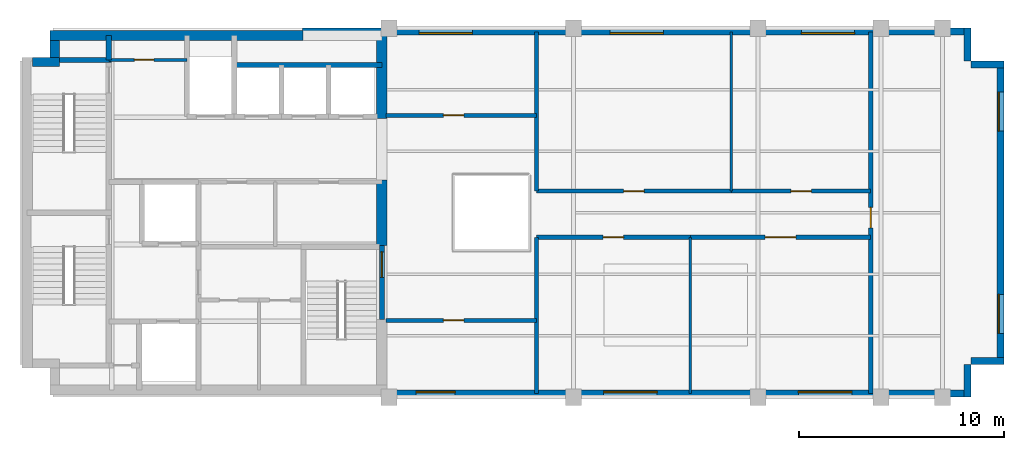
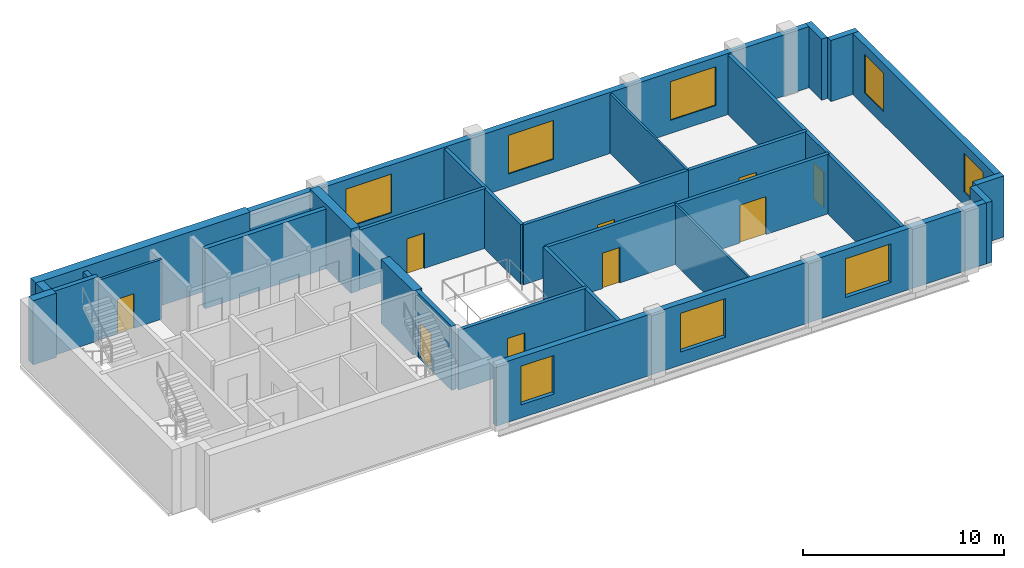
# One storey, part 3 of 5: 28 walls, 9 doors, 8 windows, 17 openings.
"""IFC4 building model written with IfcOpenShell, lengths in metres."""

import ifcopenshell
import ifcopenshell.guid

model = None  # the IFC model being written
_history = None  # IfcOwnerHistory: only IFC2X3 demands one
_inside = {}  # id of a spatial element -> (the spatial element, [elements in it])
_under = {}  # id of a project, library or spatial element -> (it, [spatial elements below it])
_declared = {}  # id of a project -> (the project, [libraries it declares])
_typed = {}  # id of a type object -> (the type object, [elements of that type])
_made_of = {}  # id of a material, layer set ... -> (it, [elements and type objects made of it])


def new_model(schema):
    """Start an empty IFC model of exactly this schema.

    Asked for "IFC4X3", IfcOpenShell would pick the latest addendum, in which some entities
    have other attributes; the version numbers below select the first issue.
    IFC2X3 requires an IfcOwnerHistory on every rooted entity: one is made here for all.
    """
    global model, _history
    if schema == "IFC4X3":
        model = ifcopenshell.file(schema_version=(4, 3, 0, 0))
    else:
        model = ifcopenshell.file(schema=schema)
    _inside.clear()
    _under.clear()
    _declared.clear()
    _typed.clear()
    _made_of.clear()
    _history = None
    if model.schema == "IFC2X3":
        org = make("IfcOrganization", Name="unknown")
        user = make(
            "IfcPersonAndOrganization",
            ThePerson=make("IfcPerson", FamilyName="unknown"),
            TheOrganization=org,
        )
        app = make(
            "IfcApplication",
            ApplicationDeveloper=org,
            Version="unknown",
            ApplicationFullName="unknown",
            ApplicationIdentifier="unknown",
        )
        _history = make(
            "IfcOwnerHistory",
            OwningUser=user,
            OwningApplication=app,
            ChangeAction="ADDED",
            CreationDate=0,
        )
    return model


def make(cls, **values):
    """One entity of the class cls with the attributes given. An attribute that is None is left unset."""
    return model.create_entity(
        cls, **{name: value for name, value in values.items() if value is not None}
    )


def rooted(cls, **values):
    """An entity with a GlobalId (a new one), such as an element, a storey or a relation."""
    return make(cls, GlobalId=ifcopenshell.guid.new(), OwnerHistory=_history, **values)


def si_unit(unit_type, name, prefix=None):
    """IfcSIUnit, for example si_unit("LENGTHUNIT", "METRE", prefix="MILLI")."""
    return make("IfcSIUnit", UnitType=unit_type, Prefix=prefix, Name=name)


def assignment(units):
    """IfcUnitAssignment: the units of a project."""
    return None if units is None else make("IfcUnitAssignment", Units=units)


def point(xyz):
    """IfcCartesianPoint."""
    return None if xyz is None else make("IfcCartesianPoint", Coordinates=xyz)


def direction(xyz):
    """IfcDirection."""
    return None if xyz is None else make("IfcDirection", DirectionRatios=xyz)


def frame(location, z_axis=None, x_axis=None):
    """IfcAxis2Placement3D, a coordinate frame: its origin and axes. An axis left out is left unset."""
    return make(
        "IfcAxis2Placement3D",
        Location=point(location),
        Axis=direction(z_axis),
        RefDirection=direction(x_axis),
    )


def frame_2d(location, x_axis=None):
    """IfcAxis2Placement2D, a coordinate frame in the plane: its origin and x axis."""
    return make(
        "IfcAxis2Placement2D", Location=point(location), RefDirection=direction(x_axis)
    )


def origin():
    """The frame at (0, 0, 0) with its axes left unset."""
    return frame((0.0, 0.0, 0.0))


def place(relative_to, where):
    """IfcLocalPlacement: puts the frame where relative to a parent placement (None: the world)."""
    return make(
        "IfcLocalPlacement", PlacementRelTo=relative_to, RelativePlacement=where
    )


def context(
    kind, dimensions, precision=None, world=None, true_north=None, identifier=None
):
    """IfcGeometricRepresentationContext, for example the 3D "Model" context."""
    return make(
        "IfcGeometricRepresentationContext",
        ContextIdentifier=identifier,
        ContextType=kind,
        CoordinateSpaceDimension=dimensions,
        Precision=precision,
        WorldCoordinateSystem=world,
        TrueNorth=true_north,
    )


def subcontext(parent, identifier, kind, view, scale=None):
    """IfcGeometricRepresentationSubContext, for example "Body" below "Model"."""
    return make(
        "IfcGeometricRepresentationSubContext",
        ContextIdentifier=identifier,
        ContextType=kind,
        ParentContext=parent,
        TargetScale=scale,
        TargetView=view,
    )


def project(units=None, contexts=None):
    """IfcProject with its units and contexts."""
    return rooted(
        "IfcProject",
        Name="project",
        RepresentationContexts=contexts,
        UnitsInContext=assignment(units),
    )


def spatial(cls, under=None, at=None, **own):
    """A site, building, storey or space (cls), placed at a placement, below another one or the project."""
    s = rooted(cls, ObjectPlacement=at, **own)
    if under is not None:
        _under.setdefault(under.id(), (under, []))[1].append(s)
    return s


def profile(cls, at=None, kind="AREA", **sizes):
    """A parametric profile (cls). Its sizes go by their IFC names, for example OverallWidth=200.0."""
    return make(cls, ProfileType=kind, Position=at, **sizes)


def rectangle(**sizes):
    """IfcRectangleProfileDef."""
    return profile("IfcRectangleProfileDef", **sizes)


def extrude(swept, where, along, depth):
    """IfcExtrudedAreaSolid: the profile swept, set in the frame where, extruded along a direction by depth."""
    return make(
        "IfcExtrudedAreaSolid",
        SweptArea=swept,
        Position=where,
        ExtrudedDirection=direction(along),
        Depth=depth,
    )


def shape(context_of_items, identifier, shape_type, items):
    """IfcShapeRepresentation: the items that make up one representation, for example the "Body"."""
    return make(
        "IfcShapeRepresentation",
        ContextOfItems=context_of_items,
        RepresentationIdentifier=identifier,
        RepresentationType=shape_type,
        Items=items,
    )


def material(Name=None, Category=None):
    """IfcMaterial."""
    return make("IfcMaterial", Name=Name, Category=Category)


def layer(
    of_material, thickness, ventilated=None, Name=None, Category=None, Priority=None
):
    """IfcMaterialLayer: one layer of a wall or slab, of a material (None: an air gap)."""
    return make(
        "IfcMaterialLayer",
        Material=of_material,
        LayerThickness=thickness,
        IsVentilated=ventilated,
        Name=Name,
        Category=Category,
        Priority=Priority,
    )


def layer_set(layers, Name=None):
    """IfcMaterialLayerSet."""
    return make("IfcMaterialLayerSet", MaterialLayers=layers, LayerSetName=Name)


def made_of(thing, what):
    """Note that an element or type object is made of a material, layer set ...; save() writes the relation."""
    if what is not None:
        _made_of.setdefault(what.id(), (what, []))[1].append(thing)
    return thing


def type_object(cls, material=None, **own):
    """A type object (cls), such as IfcWallType, which elements share."""
    return made_of(rooted(cls, **own), material)


def element(
    cls,
    number,
    at=None,
    inside=None,
    cuts=None,
    type_object=None,
    material=None,
    context=None,
    identifier="Body",
    shape_type=None,
    held_by="IfcProductDefinitionShape",
    body=None,
    shapes=None,
    **own,
):
    """One element of the class cls, such as IfcWall. Its Tag is "e" and its number.

    at: its placement. inside: the storey or other place that contains it. cuts: it is an
    opening in that element (IfcRelVoidsElement). A single representation is given by context,
    identifier, shape_type and body (its items); several are given by shapes. held_by: the class
    of the entity that holds the representations. save() writes the other relations.
    """
    e = rooted(cls, Tag="e%d" % number, ObjectPlacement=at, **own)
    if body is not None:
        shapes = [shape(context, identifier, shape_type, body)]
    if shapes is not None:
        e.Representation = make(held_by, Representations=shapes)
    if inside is not None:
        _inside.setdefault(inside.id(), (inside, []))[1].append(e)
    if cuts is not None:
        rooted(
            "IfcRelVoidsElement", RelatingBuildingElement=cuts, RelatedOpeningElement=e
        )
    if type_object is not None:
        _typed.setdefault(type_object.id(), (type_object, []))[1].append(e)
    return made_of(e, material)


def fill(opening, filler):
    """IfcRelFillsElement: the door or window that sits in an opening."""
    return rooted(
        "IfcRelFillsElement",
        RelatingOpeningElement=opening,
        RelatedBuildingElement=filler,
    )


def aggregate(whole, parts):
    """IfcRelAggregates: a whole, such as a stair, and the parts it consists of."""
    return rooted("IfcRelAggregates", RelatingObject=whole, RelatedObjects=parts)


def save(model, path):
    """Write the relations noted so far, then the file.

    IfcRelAggregates (storeys below a building ...), IfcRelContainedInSpatialStructure (elements
    in a storey), IfcRelDefinesByType, IfcRelAssociatesMaterial and IfcRelDeclares: one each for
    every whole, place, type object, material and project.
    """
    for whole, parts in _under.values():
        aggregate(whole, parts)
    for where, things in _inside.values():
        rooted(
            "IfcRelContainedInSpatialStructure",
            RelatedElements=things,
            RelatingStructure=where,
        )
    for kind, things in _typed.values():
        rooted("IfcRelDefinesByType", RelatedObjects=things, RelatingType=kind)
    for what, things in _made_of.values():
        rooted("IfcRelAssociatesMaterial", RelatedObjects=things, RelatingMaterial=what)
    for by, libraries in _declared.values():
        rooted("IfcRelDeclares", RelatingContext=by, RelatedDefinitions=libraries)
    model.write(path)


model = new_model("IFC4")

# Units and contexts
model_context = context("Model", 3, precision=1e-05, world=origin(), true_north=direction((0.0, 1.0)))
body_context = subcontext(model_context, "Body", "Model", "MODEL_VIEW")
ifc_project = project(units=[si_unit("LENGTHUNIT", "METRE"), si_unit("AREAUNIT", "SQUARE_METRE"), si_unit("VOLUMEUNIT", "CUBIC_METRE"), si_unit("PLANEANGLEUNIT", "RADIAN"), si_unit("MASSUNIT", "GRAM", prefix="KILO")], contexts=[model_context])

# Site, building, storey
site_placement = place(None, origin())
site = spatial("IfcSite", under=ifc_project, at=site_placement, CompositionType="ELEMENT")
building_placement = place(site_placement, origin())
building = spatial("IfcBuilding", under=site, at=building_placement, Name="Mawjdan Bourse Tower", CompositionType="ELEMENT")
storey_placement = place(building_placement, frame((0.0, 0.0, 282.0)))
storey = spatial("IfcBuildingStorey", under=building, at=storey_placement, Name="L69", CompositionType="ELEMENT", Elevation=282.0)

# Wall, openings, windows
ifc_material_1 = material(Name="Brick Masonry Buff", Category="masonry")
ifc_layer_1 = layer(ifc_material_1, 0.340087890625)
ifc_layer_set_1 = layer_set([ifc_layer_1], Name="Brick Masonry Buff")
wall_type_1 = type_object("IfcWallType", Name="WL-BRK-SPN-340", PredefinedType="STANDARD", material=ifc_layer_set_1)
wall_1_placement = place(storey_placement, frame((23.89990234375, 3.169921875, 0.0), z_axis=(0.0, 0.0, 1.0), x_axis=(1.0, 0.0, 0.0)))
wall_1 = element("IfcWall", 1, at=wall_1_placement, inside=storey, type_object=wall_type_1, Name="L69 Exterior Brick Wall 1", PredefinedType="STANDARD", context=body_context, shape_type="SweptSolid", body=[
    extrude(rectangle(XDim=28.5, YDim=0.340087890625, at=frame_2d((14.25, 0.0))), origin(), (0.0, 0.0, 1.0), 3.715087890625),
])
opening_1_placement = place(wall_1_placement, frame((1.425048828125, 0.0, 0.800048828125)))
opening_1 = element("IfcOpeningElement", 2, at=opening_1_placement, cuts=wall_1, Name="Opening W-L69-01", PredefinedType="OPENING", context=body_context, shape_type="SweptSolid", body=[
    extrude(rectangle(XDim=1.89990234375, YDim=2.35009765625, at=frame_2d((0.949951171875, 1.175048828125))), frame((0.0, 0.18017578125, 0.0), z_axis=(0.0, -1.0, 0.0), x_axis=(1.0, 0.0, 0.0)), (0.0, 0.0, 1.0), 0.360107421875),
])
opening_2_placement = place(wall_1_placement, frame((10.574951171875, 0.0, 0.800048828125)))
opening_2 = element("IfcOpeningElement", 3, at=opening_2_placement, cuts=wall_1, Name="Opening W-L69-02", PredefinedType="OPENING", context=body_context, shape_type="SweptSolid", body=[
    extrude(rectangle(XDim=2.60009765625, YDim=2.35009765625, at=frame_2d((1.300048828125, 1.175048828125))), frame((0.0, 0.18017578125, 0.0), z_axis=(0.0, -1.0, 0.0), x_axis=(1.0, 0.0, 0.0)), (0.0, 0.0, 1.0), 0.360107421875),
])
opening_3_placement = place(wall_1_placement, frame((20.074951171875, 0.0, 0.800048828125)))
opening_3 = element("IfcOpeningElement", 4, at=opening_3_placement, cuts=wall_1, Name="Opening W-L69-03", PredefinedType="OPENING", context=body_context, shape_type="SweptSolid", body=[
    extrude(rectangle(XDim=2.60009765625, YDim=2.35009765625, at=frame_2d((1.300048828125, 1.175048828125))), frame((0.0, 0.18017578125, 0.0), z_axis=(0.0, -1.0, 0.0), x_axis=(1.0, 0.0, 0.0)), (0.0, 0.0, 1.0), 0.360107421875),
])
ifc_material_2 = material(Name="Solar-Control Clear Double Glazing", Category="glass")
window_type_1 = type_object("IfcWindowType", Name="WN-SMT-1900", PartitioningType="SINGLE_PANEL", PredefinedType="WINDOW", material=ifc_material_2)
window_1_placement = place(opening_1_placement, origin())
window_1 = element("IfcWindow", 5, at=window_1_placement, inside=storey, type_object=window_type_1, Name="L69 Deep-Set Masonry Window W-L69-01", OverallHeight=2.35009765625, OverallWidth=1.89990234375, PartitioningType="SINGLE_PANEL", PredefinedType="WINDOW", context=body_context, shape_type="SweptSolid", body=[
    extrude(rectangle(XDim=1.89990234375, YDim=2.35009765625, at=frame_2d((0.949951171875, 1.175048828125))), frame((0.0, 0.110107421875, 0.0), z_axis=(0.0, -1.0, 0.0), x_axis=(1.0, 0.0, 0.0)), (0.0, 0.0, 1.0), 0.06005859375),
])
fill(opening_1, window_1)
window_type_2 = type_object("IfcWindowType", Name="WN-SMT-2600", PartitioningType="SINGLE_PANEL", PredefinedType="WINDOW", material=ifc_material_2)
window_2_placement = place(opening_2_placement, origin())
window_2 = element("IfcWindow", 6, at=window_2_placement, inside=storey, type_object=window_type_2, Name="L69 Deep-Set Masonry Window W-L69-02", OverallHeight=2.35009765625, OverallWidth=2.60009765625, PartitioningType="SINGLE_PANEL", PredefinedType="WINDOW", context=body_context, shape_type="SweptSolid", body=[
    extrude(rectangle(XDim=2.60009765625, YDim=2.35009765625, at=frame_2d((1.300048828125, 1.175048828125))), frame((0.0, 0.110107421875, 0.0), z_axis=(0.0, -1.0, 0.0), x_axis=(1.0, 0.0, 0.0)), (0.0, 0.0, 1.0), 0.06005859375),
])
fill(opening_2, window_2)
window_3_placement = place(opening_3_placement, origin())
window_3 = element("IfcWindow", 7, at=window_3_placement, inside=storey, type_object=window_type_2, Name="L69 Deep-Set Masonry Window W-L69-03", OverallHeight=2.35009765625, OverallWidth=2.60009765625, PartitioningType="SINGLE_PANEL", PredefinedType="WINDOW", context=body_context, shape_type="SweptSolid", body=[
    extrude(rectangle(XDim=2.60009765625, YDim=2.35009765625, at=frame_2d((1.300048828125, 1.175048828125))), frame((0.0, 0.110107421875, 0.0), z_axis=(0.0, -1.0, 0.0), x_axis=(1.0, 0.0, 0.0)), (0.0, 0.0, 1.0), 0.06005859375),
])
fill(opening_3, window_3)

# Walls
for number, where, z_axis, x_axis, name in (
    (8, (52.22998046875, 3.0, 0.0), (0.0, 0.0, 1.0), (0.0, 1.0, 0.0), "L69 Exterior Brick Wall 2"),
    (9, (52.39990234375, 4.77001953125, 0.0), (0.0, 0.0, 1.0), (1.0, 0.0, 0.0), "L69 Exterior Brick Wall 3"),
):
    element("IfcWall", number, at=place(storey_placement, frame(where, z_axis=z_axis, x_axis=x_axis)), inside=storey, type_object=wall_type_1, Name=name, PredefinedType="STANDARD", context=body_context, shape_type="SweptSolid", body=[
        extrude(rectangle(XDim=1.60009765625, YDim=0.340087890625, at=frame_2d((0.800048828125, 0.0))), origin(), (0.0, 0.0, 1.0), 3.715087890625),
    ])

# Wall, openings, windows
wall_2_placement = place(storey_placement, frame((53.830078125, 4.60009765625, 0.0), z_axis=(0.0, 0.0, 1.0), x_axis=(0.0, 1.0, 0.0)))
wall_2 = element("IfcWall", 10, at=wall_2_placement, inside=storey, type_object=wall_type_1, Name="L69 Exterior Brick Wall 4", PredefinedType="STANDARD", context=body_context, shape_type="SweptSolid", body=[
    extrude(rectangle(XDim=14.7998046875, YDim=0.340087890625, at=frame_2d((7.39990234375, 0.0))), origin(), (0.0, 0.0, 1.0), 3.715087890625),
])
opening_4_placement = place(wall_2_placement, frame((1.5166015625, 0.0, 0.800048828125)))
opening_4 = element("IfcOpeningElement", 11, at=opening_4_placement, cuts=wall_2, Name="Opening W-L69-04", PredefinedType="OPENING", context=body_context, shape_type="SweptSolid", body=[
    extrude(rectangle(XDim=1.89990234375, YDim=2.35009765625, at=frame_2d((0.949951171875, 1.175048828125))), frame((0.0, 0.18017578125, 0.0), z_axis=(0.0, -1.0, 0.0), x_axis=(1.0, 0.0, 0.0)), (0.0, 0.0, 1.0), 0.360107421875),
])
opening_5_placement = place(wall_2_placement, frame((11.38330078125, 0.0, 0.800048828125)))
opening_5 = element("IfcOpeningElement", 12, at=opening_5_placement, cuts=wall_2, Name="Opening W-L69-05", PredefinedType="OPENING", context=body_context, shape_type="SweptSolid", body=[
    extrude(rectangle(XDim=1.89990234375, YDim=2.35009765625, at=frame_2d((0.949951171875, 1.175048828125))), frame((0.0, 0.18017578125, 0.0), z_axis=(0.0, -1.0, 0.0), x_axis=(1.0, 0.0, 0.0)), (0.0, 0.0, 1.0), 0.360107421875),
])
window_4_placement = place(opening_4_placement, origin())
window_4 = element("IfcWindow", 13, at=window_4_placement, inside=storey, type_object=window_type_1, Name="L69 Deep-Set Masonry Window W-L69-04", OverallHeight=2.35009765625, OverallWidth=1.89990234375, PartitioningType="SINGLE_PANEL", PredefinedType="WINDOW", context=body_context, shape_type="SweptSolid", body=[
    extrude(rectangle(XDim=1.89990234375, YDim=2.35009765625, at=frame_2d((0.949951171875, 1.175048828125))), frame((0.0, 0.110107421875, 0.0), z_axis=(0.0, -1.0, 0.0), x_axis=(1.0, 0.0, 0.0)), (0.0, 0.0, 1.0), 0.06005859375),
])
fill(opening_4, window_4)
window_5_placement = place(opening_5_placement, origin())
window_5 = element("IfcWindow", 14, at=window_5_placement, inside=storey, type_object=window_type_1, Name="L69 Deep-Set Masonry Window W-L69-05", OverallHeight=2.35009765625, OverallWidth=1.89990234375, PartitioningType="SINGLE_PANEL", PredefinedType="WINDOW", context=body_context, shape_type="SweptSolid", body=[
    extrude(rectangle(XDim=1.89990234375, YDim=2.35009765625, at=frame_2d((0.949951171875, 1.175048828125))), frame((0.0, 0.110107421875, 0.0), z_axis=(0.0, -1.0, 0.0), x_axis=(1.0, 0.0, 0.0)), (0.0, 0.0, 1.0), 0.06005859375),
])
fill(opening_5, window_5)

# Walls
for number, where, z_axis, x_axis, name in (
    (15, (54.0, 19.22998046875, 0.0), (0.0, 0.0, 1.0), (-1.0, 0.0, 0.0), "L69 Exterior Brick Wall 5"),
    (16, (52.22998046875, 19.39990234375, 0.0), (0.0, 0.0, 1.0), (0.0, 1.0, 0.0), "L69 Exterior Brick Wall 6"),
):
    element("IfcWall", number, at=place(storey_placement, frame(where, z_axis=z_axis, x_axis=x_axis)), inside=storey, type_object=wall_type_1, Name=name, PredefinedType="STANDARD", context=body_context, shape_type="SweptSolid", body=[
        extrude(rectangle(XDim=1.60009765625, YDim=0.340087890625, at=frame_2d((0.800048828125, 0.0))), origin(), (0.0, 0.0, 1.0), 3.715087890625),
    ])

# Wall, openings, windows
wall_3_placement = place(storey_placement, frame((52.39990234375, 20.830078125, 0.0), z_axis=(0.0, 0.0, 1.0), x_axis=(-1.0, 0.0, 0.0)))
wall_3 = element("IfcWall", 17, at=wall_3_placement, inside=storey, type_object=wall_type_1, Name="L69 Exterior Brick Wall 7", PredefinedType="STANDARD", context=body_context, shape_type="SweptSolid", body=[
    extrude(rectangle(XDim=32.619873046875, YDim=0.340087890625, at=frame_2d((16.31005859375, 0.0))), origin(), (0.0, 0.0, 1.0), 3.715087890625),
])
opening_6_placement = place(wall_3_placement, frame((5.68994140625, 0.0, 0.800048828125)))
opening_6 = element("IfcOpeningElement", 18, at=opening_6_placement, cuts=wall_3, Name="Opening W-L69-06", PredefinedType="OPENING", context=body_context, shape_type="SweptSolid", body=[
    extrude(rectangle(XDim=2.60009765625, YDim=2.35009765625, at=frame_2d((1.300048828125, 1.175048828125))), frame((0.0, 0.18017578125, 0.0), z_axis=(0.0, -1.0, 0.0), x_axis=(1.0, 0.0, 0.0)), (0.0, 0.0, 1.0), 0.360107421875),
])
opening_7_placement = place(wall_3_placement, frame((15.010009765625, 0.0, 0.800048828125)))
opening_7 = element("IfcOpeningElement", 19, at=opening_7_placement, cuts=wall_3, Name="Opening W-L69-07", PredefinedType="OPENING", context=body_context, shape_type="SweptSolid", body=[
    extrude(rectangle(XDim=2.60009765625, YDim=2.35009765625, at=frame_2d((1.300048828125, 1.175048828125))), frame((0.0, 0.18017578125, 0.0), z_axis=(0.0, -1.0, 0.0), x_axis=(1.0, 0.0, 0.0)), (0.0, 0.0, 1.0), 0.360107421875),
])
opening_8_placement = place(wall_3_placement, frame((24.330078125, 0.0, 0.800048828125)))
opening_8 = element("IfcOpeningElement", 20, at=opening_8_placement, cuts=wall_3, Name="Opening W-L69-08", PredefinedType="OPENING", context=body_context, shape_type="SweptSolid", body=[
    extrude(rectangle(XDim=2.60009765625, YDim=2.35009765625, at=frame_2d((1.300048828125, 1.175048828125))), frame((0.0, 0.18017578125, 0.0), z_axis=(0.0, -1.0, 0.0), x_axis=(1.0, 0.0, 0.0)), (0.0, 0.0, 1.0), 0.360107421875),
])
window_6_placement = place(opening_6_placement, origin())
window_6 = element("IfcWindow", 21, at=window_6_placement, inside=storey, type_object=window_type_2, Name="L69 Deep-Set Masonry Window W-L69-06", OverallHeight=2.35009765625, OverallWidth=2.60009765625, PartitioningType="SINGLE_PANEL", PredefinedType="WINDOW", context=body_context, shape_type="SweptSolid", body=[
    extrude(rectangle(XDim=2.60009765625, YDim=2.35009765625, at=frame_2d((1.300048828125, 1.175048828125))), frame((0.0, 0.110107421875, 0.0), z_axis=(0.0, -1.0, 0.0), x_axis=(1.0, 0.0, 0.0)), (0.0, 0.0, 1.0), 0.06005859375),
])
fill(opening_6, window_6)
window_7_placement = place(opening_7_placement, origin())
window_7 = element("IfcWindow", 22, at=window_7_placement, inside=storey, type_object=window_type_2, Name="L69 Deep-Set Masonry Window W-L69-07", OverallHeight=2.35009765625, OverallWidth=2.60009765625, PartitioningType="SINGLE_PANEL", PredefinedType="WINDOW", context=body_context, shape_type="SweptSolid", body=[
    extrude(rectangle(XDim=2.60009765625, YDim=2.35009765625, at=frame_2d((1.300048828125, 1.175048828125))), frame((0.0, 0.110107421875, 0.0), z_axis=(0.0, -1.0, 0.0), x_axis=(1.0, 0.0, 0.0)), (0.0, 0.0, 1.0), 0.06005859375),
])
fill(opening_7, window_7)
window_8_placement = place(opening_8_placement, origin())
window_8 = element("IfcWindow", 23, at=window_8_placement, inside=storey, type_object=window_type_2, Name="L69 Deep-Set Masonry Window W-L69-08", OverallHeight=2.35009765625, OverallWidth=2.60009765625, PartitioningType="SINGLE_PANEL", PredefinedType="WINDOW", context=body_context, shape_type="SweptSolid", body=[
    extrude(rectangle(XDim=2.60009765625, YDim=2.35009765625, at=frame_2d((1.300048828125, 1.175048828125))), frame((0.0, 0.110107421875, 0.0), z_axis=(0.0, -1.0, 0.0), x_axis=(1.0, 0.0, 0.0)), (0.0, 0.0, 1.0), 0.06005859375),
])
fill(opening_8, window_8)

# Wall, opening, door
ifc_material_3 = material(Name="Gypsum Fireboard Assembly")
ifc_layer_2 = layer(ifc_material_3, 0.199951171875)
ifc_layer_set_2 = layer_set([ifc_layer_2], Name="Gypsum Fireboard Assembly")
wall_type_2 = type_object("IfcWallType", Name="WL-CMP-200", PredefinedType="PARTITIONING", material=ifc_layer_set_2)
wall_4_placement = place(storey_placement, frame((23.85009765625, 6.75, 0.0), z_axis=(0.0, 0.0, 1.0), x_axis=(1.0, 0.0, 0.0)))
wall_4 = element("IfcWall", 24, at=wall_4_placement, inside=storey, type_object=wall_type_2, Name="L69 Summit Throat South Wall", PredefinedType="PARTITIONING", context=body_context, shape_type="SweptSolid", body=[
    extrude(rectangle(XDim=7.349853515625, YDim=0.199951171875, at=frame_2d((3.6748046875, 0.0))), origin(), (0.0, 0.0, 1.0), 3.6298828125),
])
opening_9_placement = place(wall_4_placement, frame((2.800048828125, 0.0, 0.0)))
opening_9 = element("IfcOpeningElement", 25, at=opening_9_placement, cuts=wall_4, Name="Opening D-L69-18", PredefinedType="OPENING", context=body_context, shape_type="SweptSolid", body=[
    extrude(rectangle(XDim=1.0, YDim=2.14990234375, at=frame_2d((0.5, 1.074951171875))), frame((0.0, 0.10986328125, 0.0), z_axis=(0.0, -1.0, 0.0), x_axis=(1.0, 0.0, 0.0)), (0.0, 0.0, 1.0), 0.219970703125),
])
ifc_material_4 = material(Name="Hardwood Acoustic Leaf", Category="wood")
door_type_1 = type_object("IfcDoorType", Name="DR-OFC-1000", OperationType="NOTDEFINED", PredefinedType="DOOR", material=ifc_material_4)
door_1_placement = place(opening_9_placement, origin())
door_1 = element("IfcDoor", 26, at=door_1_placement, inside=storey, type_object=door_type_1, Name="L69 Summit Throat South Room Door D-L69-18", OperationType="SINGLE_SWING_LEFT", OverallHeight=2.14990234375, OverallWidth=1.0, PredefinedType="DOOR", context=body_context, shape_type="SweptSolid", body=[
    extrude(rectangle(XDim=1.0, YDim=2.14990234375, at=frame_2d((0.5, 1.074951171875))), frame((0.0, 0.02490234375, 0.0), z_axis=(0.0, -1.0, 0.0), x_axis=(1.0, 0.0, 0.0)), (0.0, 0.0, 1.0), 0.050048828125),
])
fill(opening_9, door_1)

# Wall
wall_5_placement = place(storey_placement, frame((31.199951171875, 3.179931640625, 0.0), z_axis=(0.0, 0.0, 1.0), x_axis=(0.0, 1.0, 0.0)))
element("IfcWall", 27, at=wall_5_placement, inside=storey, type_object=wall_type_2, Name="L69 Summit Throat South Return", PredefinedType="PARTITIONING", context=body_context, shape_type="SweptSolid", body=[
    extrude(rectangle(XDim=7.6201171875, YDim=0.199951171875, at=frame_2d((3.81005859375, 0.0))), origin(), (0.0, 0.0, 1.0), 3.6298828125),
])

# Wall, opening, door
wall_6_placement = place(storey_placement, frame((23.85009765625, 16.75, 0.0), z_axis=(0.0, 0.0, 1.0), x_axis=(1.0, 0.0, 0.0)))
wall_6 = element("IfcWall", 28, at=wall_6_placement, inside=storey, type_object=wall_type_2, Name="L69 Summit Throat North Wall", PredefinedType="PARTITIONING", context=body_context, shape_type="SweptSolid", body=[
    extrude(rectangle(XDim=7.349853515625, YDim=0.199951171875, at=frame_2d((3.6748046875, 0.0))), origin(), (0.0, 0.0, 1.0), 3.6298828125),
])
opening_10_placement = place(wall_6_placement, frame((2.800048828125, 0.0, 0.0)))
opening_10 = element("IfcOpeningElement", 29, at=opening_10_placement, cuts=wall_6, Name="Opening D-L69-19", PredefinedType="OPENING", context=body_context, shape_type="SweptSolid", body=[
    extrude(rectangle(XDim=1.0, YDim=2.14990234375, at=frame_2d((0.5, 1.074951171875))), frame((0.0, 0.10986328125, 0.0), z_axis=(0.0, -1.0, 0.0), x_axis=(1.0, 0.0, 0.0)), (0.0, 0.0, 1.0), 0.219970703125),
])
door_2_placement = place(opening_10_placement, origin())
door_2 = element("IfcDoor", 30, at=door_2_placement, inside=storey, type_object=door_type_1, Name="L69 Summit Throat North Room Door D-L69-19", OperationType="SINGLE_SWING_RIGHT", OverallHeight=2.14990234375, OverallWidth=1.0, PredefinedType="DOOR", context=body_context, shape_type="SweptSolid", body=[
    extrude(rectangle(XDim=1.0, YDim=2.14990234375, at=frame_2d((0.5, 1.074951171875))), frame((0.0, 0.02490234375, 0.0), z_axis=(0.0, -1.0, 0.0), x_axis=(1.0, 0.0, 0.0)), (0.0, 0.0, 1.0), 0.050048828125),
])
fill(opening_10, door_2)

# Wall
wall_7_placement = place(storey_placement, frame((31.199951171875, 13.050048828125, 0.0), z_axis=(0.0, 0.0, 1.0), x_axis=(0.0, 1.0, 0.0)))
element("IfcWall", 31, at=wall_7_placement, inside=storey, type_object=wall_type_2, Name="L69 Summit Throat North Return", PredefinedType="PARTITIONING", context=body_context, shape_type="SweptSolid", body=[
    extrude(rectangle(XDim=7.77001953125, YDim=0.199951171875, at=frame_2d((3.885009765625, 0.0))), origin(), (0.0, 0.0, 1.0), 3.6298828125),
])

# Wall, opening, door
wall_8_placement = place(storey_placement, frame((31.199951171875, 10.800048828125, 0.0), z_axis=(0.0, 0.0, 1.0), x_axis=(1.0, 0.0, 0.0)))
wall_8 = element("IfcWall", 32, at=wall_8_placement, inside=storey, type_object=wall_type_2, Name="L69 Sovereign Principal Suite Corridor Wall", PredefinedType="PARTITIONING", context=body_context, shape_type="SweptSolid", body=[
    extrude(rectangle(XDim=7.5, YDim=0.199951171875, at=frame_2d((3.75, 0.0))), origin(), (0.0, 0.0, 1.0), 3.6298828125),
])
opening_11_placement = place(wall_8_placement, frame((3.25, 0.0, 0.0)))
opening_11 = element("IfcOpeningElement", 33, at=opening_11_placement, cuts=wall_8, Name="Opening D-L69-20", PredefinedType="OPENING", context=body_context, shape_type="SweptSolid", body=[
    extrude(rectangle(XDim=1.0, YDim=2.14990234375, at=frame_2d((0.5, 1.074951171875))), frame((0.0, 0.10986328125, 0.0), z_axis=(0.0, -1.0, 0.0), x_axis=(1.0, 0.0, 0.0)), (0.0, 0.0, 1.0), 0.219970703125),
])
door_3_placement = place(opening_11_placement, origin())
door_3 = element("IfcDoor", 34, at=door_3_placement, inside=storey, type_object=door_type_1, Name="L69 Sovereign Principal Suite Door D-L69-20", OperationType="SINGLE_SWING_LEFT", OverallHeight=2.14990234375, OverallWidth=1.0, PredefinedType="DOOR", context=body_context, shape_type="SweptSolid", body=[
    extrude(rectangle(XDim=1.0, YDim=2.14990234375, at=frame_2d((0.5, 1.074951171875))), frame((0.0, 0.02490234375, 0.0), z_axis=(0.0, -1.0, 0.0), x_axis=(1.0, 0.0, 0.0)), (0.0, 0.0, 1.0), 0.050048828125),
])
fill(opening_11, door_3)

wall_9_placement = place(storey_placement, frame((38.699951171875, 10.800048828125, 0.0), z_axis=(0.0, 0.0, 1.0), x_axis=(1.0, 0.0, 0.0)))
wall_9 = element("IfcWall", 35, at=wall_9_placement, inside=storey, type_object=wall_type_2, Name="L69 Conference Room Corridor Wall", PredefinedType="PARTITIONING", context=body_context, shape_type="SweptSolid", body=[
    extrude(rectangle(XDim=8.800048828125, YDim=0.199951171875, at=frame_2d((4.39990234375, 0.0))), origin(), (0.0, 0.0, 1.0), 3.6298828125),
])
opening_12_placement = place(wall_9_placement, frame((3.64990234375, 0.0, 0.0)))
opening_12 = element("IfcOpeningElement", 36, at=opening_12_placement, cuts=wall_9, Name="Opening D-L69-21", PredefinedType="OPENING", context=body_context, shape_type="SweptSolid", body=[
    extrude(rectangle(XDim=1.5, YDim=2.300048828125, at=frame_2d((0.75, 1.14990234375))), frame((0.0, 0.10986328125, 0.0), z_axis=(0.0, -1.0, 0.0), x_axis=(1.0, 0.0, 0.0)), (0.0, 0.0, 1.0), 0.219970703125),
])
ifc_material_5 = material(Name="Acoustic Glazed Timber", Category="wood")
door_type_2 = type_object("IfcDoorType", Name="DR-CNF-1500", OperationType="DOUBLE_DOOR_SINGLE_SWING", PredefinedType="DOOR", material=ifc_material_5)
door_4_placement = place(opening_12_placement, origin())
door_4 = element("IfcDoor", 37, at=door_4_placement, inside=storey, type_object=door_type_2, Name="L69 Conference Room Door D-L69-21", OperationType="DOUBLE_DOOR_SINGLE_SWING", OverallHeight=2.300048828125, OverallWidth=1.5, PredefinedType="DOOR", context=body_context, shape_type="SweptSolid", body=[
    extrude(rectangle(XDim=1.5, YDim=2.300048828125, at=frame_2d((0.75, 1.14990234375))), frame((0.0, 0.02490234375, 0.0), z_axis=(0.0, -1.0, 0.0), x_axis=(1.0, 0.0, 0.0)), (0.0, 0.0, 1.0), 0.050048828125),
])
fill(opening_12, door_4)

wall_10_placement = place(storey_placement, frame((31.199951171875, 13.050048828125, 0.0), z_axis=(0.0, 0.0, 1.0), x_axis=(1.0, 0.0, 0.0)))
wall_10 = element("IfcWall", 38, at=wall_10_placement, inside=storey, type_object=wall_type_2, Name="L69 Executive Office Corridor Wall", PredefinedType="PARTITIONING", context=body_context, shape_type="SweptSolid", body=[
    extrude(rectangle(XDim=9.5, YDim=0.199951171875, at=frame_2d((4.75, 0.0))), origin(), (0.0, 0.0, 1.0), 3.6298828125),
])
opening_13_placement = place(wall_10_placement, frame((4.25, 0.0, 0.0)))
opening_13 = element("IfcOpeningElement", 39, at=opening_13_placement, cuts=wall_10, Name="Opening D-L69-22", PredefinedType="OPENING", context=body_context, shape_type="SweptSolid", body=[
    extrude(rectangle(XDim=1.0, YDim=2.14990234375, at=frame_2d((0.5, 1.074951171875))), frame((0.0, 0.10986328125, 0.0), z_axis=(0.0, -1.0, 0.0), x_axis=(1.0, 0.0, 0.0)), (0.0, 0.0, 1.0), 0.219970703125),
])
door_5_placement = place(opening_13_placement, origin())
door_5 = element("IfcDoor", 40, at=door_5_placement, inside=storey, type_object=door_type_1, Name="L69 Executive Office Door D-L69-22", OperationType="SINGLE_SWING_RIGHT", OverallHeight=2.14990234375, OverallWidth=1.0, PredefinedType="DOOR", context=body_context, shape_type="SweptSolid", body=[
    extrude(rectangle(XDim=1.0, YDim=2.14990234375, at=frame_2d((0.5, 1.074951171875))), frame((0.0, 0.02490234375, 0.0), z_axis=(0.0, -1.0, 0.0), x_axis=(1.0, 0.0, 0.0)), (0.0, 0.0, 1.0), 0.050048828125),
])
fill(opening_13, door_5)

wall_11_placement = place(storey_placement, frame((40.699951171875, 13.050048828125, 0.0), z_axis=(0.0, 0.0, 1.0), x_axis=(1.0, 0.0, 0.0)))
wall_11 = element("IfcWall", 41, at=wall_11_placement, inside=storey, type_object=wall_type_2, Name="L69 Strategy Library Corridor Wall", PredefinedType="PARTITIONING", context=body_context, shape_type="SweptSolid", body=[
    extrude(rectangle(XDim=6.800048828125, YDim=0.199951171875, at=frame_2d((3.39990234375, 0.0))), origin(), (0.0, 0.0, 1.0), 3.6298828125),
])
opening_14_placement = place(wall_11_placement, frame((2.89990234375, 0.0, 0.0)))
opening_14 = element("IfcOpeningElement", 42, at=opening_14_placement, cuts=wall_11, Name="Opening D-L69-23", PredefinedType="OPENING", context=body_context, shape_type="SweptSolid", body=[
    extrude(rectangle(XDim=1.0, YDim=2.14990234375, at=frame_2d((0.5, 1.074951171875))), frame((0.0, 0.10986328125, 0.0), z_axis=(0.0, -1.0, 0.0), x_axis=(1.0, 0.0, 0.0)), (0.0, 0.0, 1.0), 0.219970703125),
])
door_6_placement = place(opening_14_placement, origin())
door_6 = element("IfcDoor", 43, at=door_6_placement, inside=storey, type_object=door_type_1, Name="L69 Strategy Library Door D-L69-23", OperationType="SINGLE_SWING_LEFT", OverallHeight=2.14990234375, OverallWidth=1.0, PredefinedType="DOOR", context=body_context, shape_type="SweptSolid", body=[
    extrude(rectangle(XDim=1.0, YDim=2.14990234375, at=frame_2d((0.5, 1.074951171875))), frame((0.0, 0.02490234375, 0.0), z_axis=(0.0, -1.0, 0.0), x_axis=(1.0, 0.0, 0.0)), (0.0, 0.0, 1.0), 0.050048828125),
])
fill(opening_14, door_6)

wall_12_placement = place(storey_placement, frame((47.5, 3.179931640625, 0.0), z_axis=(0.0, 0.0, 1.0), x_axis=(0.0, 1.0, 0.0)))
wall_12 = element("IfcWall", 44, at=wall_12_placement, inside=storey, type_object=wall_type_2, Name="L69 East Tip Full Cross Wall", PredefinedType="PARTITIONING", context=body_context, shape_type="SweptSolid", body=[
    extrude(rectangle(XDim=17.64013671875, YDim=0.199951171875, at=frame_2d((8.820068359375, 0.0))), origin(), (0.0, 0.0, 1.0), 3.6298828125),
])
opening_15_placement = place(wall_12_placement, frame((8.074951171875, 0.0, 0.0)))
opening_15 = element("IfcOpeningElement", 45, at=opening_15_placement, cuts=wall_12, Name="Opening D-L69-24", PredefinedType="OPENING", context=body_context, shape_type="SweptSolid", body=[
    extrude(rectangle(XDim=1.0, YDim=2.14990234375, at=frame_2d((0.5, 1.074951171875))), frame((0.0, 0.10986328125, 0.0), z_axis=(0.0, -1.0, 0.0), x_axis=(1.0, 0.0, 0.0)), (0.0, 0.0, 1.0), 0.219970703125),
])
door_7_placement = place(opening_15_placement, origin())
door_7 = element("IfcDoor", 46, at=door_7_placement, inside=storey, type_object=door_type_1, Name="L69 East Tip Hall Door D-L69-24", OperationType="SINGLE_SWING_RIGHT", OverallHeight=2.14990234375, OverallWidth=1.0, PredefinedType="DOOR", context=body_context, shape_type="SweptSolid", body=[
    extrude(rectangle(XDim=1.0, YDim=2.14990234375, at=frame_2d((0.5, 1.074951171875))), frame((0.0, 0.02490234375, 0.0), z_axis=(0.0, -1.0, 0.0), x_axis=(1.0, 0.0, 0.0)), (0.0, 0.0, 1.0), 0.050048828125),
])
fill(opening_15, door_7)

# Walls
ifc_material_6 = material(Name="Concrete C60/75", Category="concrete")
ifc_layer_3 = layer(ifc_material_6, 0.449951171875)
ifc_layer_set_3 = layer_set([ifc_layer_3], Name="Concrete C60/75")
wall_type_3 = type_object("IfcWallType", Name="WL-CORE-450", PredefinedType="SHEAR", material=ifc_layer_set_3)
wall_13_placement = place(storey_placement, frame((6.60009765625, 19.35009765625, 0.0), z_axis=(0.0, 0.0, 1.0), x_axis=(1.0, 0.0, 0.0)))
element("IfcWall", 47, at=wall_13_placement, inside=storey, type_object=wall_type_3, Name="L69 Rear Core Shear Wall NW-X", PredefinedType="SHEAR", context=body_context, shape_type="SweptSolid", body=[
    extrude(rectangle(XDim=1.324951171875, YDim=0.449951171875, at=frame_2d((0.66259765625, 0.0))), origin(), (0.0, 0.0, 1.0), 3.89990234375),
])
wall_14_placement = place(storey_placement, frame((7.699951171875, 19.574951171875, 0.0), z_axis=(0.0, 0.0, 1.0), x_axis=(0.0, 1.0, 0.0)))
element("IfcWall", 48, at=wall_14_placement, inside=storey, type_object=wall_type_3, Name="L69 Rear Core Shear Wall NW-Y", PredefinedType="SHEAR", context=body_context, shape_type="SweptSolid", body=[
    extrude(rectangle(XDim=0.824951171875, YDim=0.449951171875, at=frame_2d((0.41259765625, 0.0))), origin(), (0.0, 0.0, 1.0), 3.89990234375),
])
ifc_layer_4 = layer(ifc_material_6, 0.5)
ifc_layer_set_4 = layer_set([ifc_layer_4], Name="Concrete C60/75")
wall_type_4 = type_object("IfcWallType", Name="WL-CORE-500", PredefinedType="SHEAR", material=ifc_layer_set_4)
wall_15_placement = place(storey_placement, frame((7.47509765625, 20.64990234375, 0.0), z_axis=(0.0, 0.0, 1.0), x_axis=(1.0, 0.0, 0.0)))
element("IfcWall", 49, at=wall_15_placement, inside=storey, type_object=wall_type_4, Name="L69 Rear Core Shear Wall N", PredefinedType="SHEAR", context=body_context, shape_type="SweptSolid", body=[
    extrude(rectangle(XDim=12.324951171875, YDim=0.5, at=frame_2d((6.16259765625, 0.0))), origin(), (0.0, 0.0, 1.0), 3.89990234375),
])
wall_16_placement = place(storey_placement, frame((23.64990234375, 10.39990234375, 0.0), z_axis=(0.0, 0.0, 1.0), x_axis=(0.0, 1.0, 0.0)))
element("IfcWall", 50, at=wall_16_placement, inside=storey, type_object=wall_type_4, Name="L69 Rear Core Shear Wall E2", PredefinedType="SHEAR", context=body_context, shape_type="SweptSolid", body=[
    extrude(rectangle(XDim=3.2001953125, YDim=0.5, at=frame_2d((1.60009765625, 0.0))), origin(), (0.0, 0.0, 1.0), 3.89990234375),
])
wall_17_placement = place(storey_placement, frame((23.64990234375, 16.60009765625, 0.0), z_axis=(0.0, 0.0, 1.0), x_axis=(0.0, 1.0, 0.0)))
element("IfcWall", 51, at=wall_17_placement, inside=storey, type_object=wall_type_4, Name="L69 Rear Core Shear Wall E3", PredefinedType="SHEAR", context=body_context, shape_type="SweptSolid", body=[
    extrude(rectangle(XDim=4.0498046875, YDim=0.5, at=frame_2d((2.02490234375, 0.0))), origin(), (0.0, 0.0, 1.0), 3.89990234375),
])
ifc_material_7 = material(Name="Gypsum Partition")
ifc_layer_5 = layer(ifc_material_7, 0.125)
ifc_layer_set_5 = layer_set([ifc_layer_5], Name="Gypsum Partition")
wall_type_5 = type_object("IfcWallType", Name="WL-PRT-125", PredefinedType="PARTITIONING", material=ifc_layer_set_5)
wall_18_placement = place(storey_placement, frame((38.699951171875, 3.179931640625, 0.0), z_axis=(0.0, 0.0, 1.0), x_axis=(0.0, 1.0, 0.0)))
element("IfcWall", 52, at=wall_18_placement, inside=storey, type_object=wall_type_5, Name="L69 Conference Room Partition", PredefinedType="PARTITIONING", context=body_context, shape_type="SweptSolid", body=[
    extrude(rectangle(XDim=7.6201171875, YDim=0.125, at=frame_2d((3.81005859375, 0.0))), origin(), (0.0, 0.0, 1.0), 3.6298828125),
])
wall_19_placement = place(storey_placement, frame((40.699951171875, 13.050048828125, 0.0), z_axis=(0.0, 0.0, 1.0), x_axis=(0.0, 1.0, 0.0)))
element("IfcWall", 53, at=wall_19_placement, inside=storey, type_object=wall_type_5, Name="L69 Strategy Library Partition", PredefinedType="PARTITIONING", context=body_context, shape_type="SweptSolid", body=[
    extrude(rectangle(XDim=7.77001953125, YDim=0.125, at=frame_2d((3.885009765625, 0.0))), origin(), (0.0, 0.0, 1.0), 3.6298828125),
])

# Wall, opening, door
ifc_material_8 = material(Name="Gypsum Acoustic Partition")
ifc_layer_6 = layer(ifc_material_8, 0.14990234375)
ifc_layer_set_6 = layer_set([ifc_layer_6], Name="Gypsum Acoustic Partition")
wall_type_6 = type_object("IfcWallType", Name="WL-PRT-150", PredefinedType="PARTITIONING", material=ifc_layer_set_6)
wall_20_placement = place(storey_placement, frame((10.330078125, 19.449951171875, 0.0), z_axis=(0.0, 0.0, 1.0), x_axis=(1.0, 0.0, 0.0)))
wall_20 = element("IfcWall", 54, at=wall_20_placement, inside=storey, type_object=wall_type_6, Name="L69 Housekeeping South Wall", PredefinedType="PARTITIONING", context=body_context, shape_type="SweptSolid", body=[
    extrude(rectangle(XDim=3.81982421875, YDim=0.14990234375, at=frame_2d((1.909912109375, 0.0))), origin(), (0.0, 0.0, 1.0), 3.6298828125),
])
opening_16_placement = place(wall_20_placement, frame((1.25, 0.0, 0.0)))
opening_16 = element("IfcOpeningElement", 55, at=opening_16_placement, cuts=wall_20, Name="Opening D-L69-17", PredefinedType="OPENING", context=body_context, shape_type="SweptSolid", body=[
    extrude(rectangle(XDim=0.949951171875, YDim=2.10009765625, at=frame_2d((0.47509765625, 1.050048828125))), frame((0.0, 0.0849609375, 0.0), z_axis=(0.0, -1.0, 0.0), x_axis=(1.0, 0.0, 0.0)), (0.0, 0.0, 1.0), 0.169921875),
])
ifc_material_9 = material(Name="Moisture-Resistant Laminate Timber", Category="wood")
door_type_3 = type_object("IfcDoorType", Name="DR-WET-0950", OperationType="NOTDEFINED", PredefinedType="DOOR", material=ifc_material_9)
door_8_placement = place(opening_16_placement, origin())
door_8 = element("IfcDoor", 56, at=door_8_placement, inside=storey, type_object=door_type_3, Name="L69 Housekeeping Closet Door D-L69-17", OperationType="SINGLE_SWING_RIGHT", OverallHeight=2.10009765625, OverallWidth=0.949951171875, PredefinedType="DOOR", context=body_context, shape_type="SweptSolid", body=[
    extrude(rectangle(XDim=0.949951171875, YDim=2.10009765625, at=frame_2d((0.47509765625, 1.050048828125))), frame((0.0, 0.02490234375, 0.0), z_axis=(0.0, -1.0, 0.0), x_axis=(1.0, 0.0, 0.0)), (0.0, 0.0, 1.0), 0.050048828125),
])
fill(opening_16, door_8)

# Walls
ifc_material_10 = material(Name="Concrete C50/60", Category="concrete")
ifc_layer_7 = layer(ifc_material_10, 0.25)
ifc_layer_set_7 = layer_set([ifc_layer_7], Name="Concrete C50/60")
wall_type_7 = type_object("IfcWallType", Name="WL-SHFT-250", PredefinedType="PARTITIONING", material=ifc_layer_set_7)
wall_21_placement = place(storey_placement, frame((10.330078125, 19.449951171875, 0.0), z_axis=(0.0, 0.0, 1.0), x_axis=(0.0, 1.0, 0.0)))
element("IfcWall", 57, at=wall_21_placement, inside=storey, type_object=wall_type_7, Name="L69 NW Riser East Wall", PredefinedType="PARTITIONING", context=body_context, shape_type="SweptSolid", body=[
    extrude(rectangle(XDim=1.199951171875, YDim=0.25, at=frame_2d((0.60009765625, 0.0))), origin(), (0.0, 0.0, 1.0), 3.6298828125),
])
wall_22_placement = place(storey_placement, frame((16.449951171875, 19.199951171875, 0.0), z_axis=(0.0, 0.0, 1.0), x_axis=(1.0, 0.0, 0.0)))
element("IfcWall", 58, at=wall_22_placement, inside=storey, type_object=wall_type_7, Name="L69 PH Bank North Shaft Back Wall", PredefinedType="PARTITIONING", context=body_context, shape_type="SweptSolid", body=[
    extrude(rectangle(XDim=7.199951171875, YDim=0.25, at=frame_2d((3.60009765625, 0.0))), origin(), (0.0, 0.0, 1.0), 3.6298828125),
])
ifc_layer_8 = layer(ifc_material_10, 0.25)
ifc_layer_set_8 = layer_set([ifc_layer_8], Name="Concrete C50/60")
wall_type_8 = type_object("IfcWallType", Name="WL-STRW-250", PredefinedType="SHEAR", material=ifc_layer_set_8)
wall_23_placement = place(storey_placement, frame((7.699951171875, 19.449951171875, 0.0), z_axis=(0.0, 0.0, 1.0), x_axis=(1.0, 0.0, 0.0)))
element("IfcWall", 59, at=wall_23_placement, inside=storey, type_object=wall_type_8, Name="L69 Stairwell ST2 North Shaft Wall", PredefinedType="SHEAR", context=body_context, shape_type="SweptSolid", body=[
    extrude(rectangle(XDim=2.755126953125, YDim=0.25, at=frame_2d((1.37744140625, 0.0))), origin(), (0.0, 0.0, 1.0), 3.89990234375),
])

# Wall, opening, door
wall_24_placement = place(storey_placement, frame((23.64990234375, 6.800048828125, 0.0), z_axis=(0.0, 0.0, 1.0), x_axis=(0.0, 1.0, 0.0)))
wall_24 = element("IfcWall", 60, at=wall_24_placement, inside=storey, type_object=wall_type_8, Name="L69 ST7 East Shaft Wall", PredefinedType="SHEAR", context=body_context, shape_type="SweptSolid", body=[
    extrude(rectangle(XDim=3.599853515625, YDim=0.25, at=frame_2d((1.7998046875, 0.0))), origin(), (0.0, 0.0, 1.0), 3.89990234375),
])
opening_17_placement = place(wall_24_placement, frame((2.0400390625, 0.0, 0.0)))
opening_17 = element("IfcOpeningElement", 61, at=opening_17_placement, cuts=wall_24, Name="Opening SD-L69-25", PredefinedType="OPENING", context=body_context, shape_type="SweptSolid", body=[
    extrude(rectangle(XDim=1.25, YDim=2.199951171875, at=frame_2d((0.625, 1.10009765625))), frame((0.0, 0.135009765625, 0.0), z_axis=(0.0, -1.0, 0.0), x_axis=(1.0, 0.0, 0.0)), (0.0, 0.0, 1.0), 0.27001953125),
])
ifc_material_11 = material(Name="Fire-Rated Steel Leaf", Category="steel")
door_type_4 = type_object("IfcDoorType", Name="FD-ST-1250", OperationType="NOTDEFINED", PredefinedType="DOOR", material=ifc_material_11)
door_9_placement = place(opening_17_placement, origin())
door_9 = element("IfcDoor", 62, at=door_9_placement, inside=storey, type_object=door_type_4, Name="L69 Stair ST7 Fire Door SD-L69-25", OperationType="SINGLE_SWING_LEFT", OverallHeight=2.199951171875, OverallWidth=1.25, PredefinedType="DOOR", context=body_context, shape_type="SweptSolid", body=[
    extrude(rectangle(XDim=1.25, YDim=2.199951171875, at=frame_2d((0.625, 1.10009765625))), frame((0.0, 0.02490234375, 0.0), z_axis=(0.0, -1.0, 0.0), x_axis=(1.0, 0.0, 0.0)), (0.0, 0.0, 1.0), 0.050048828125),
])
fill(opening_17, door_9)

save(model, "model.ifc")
